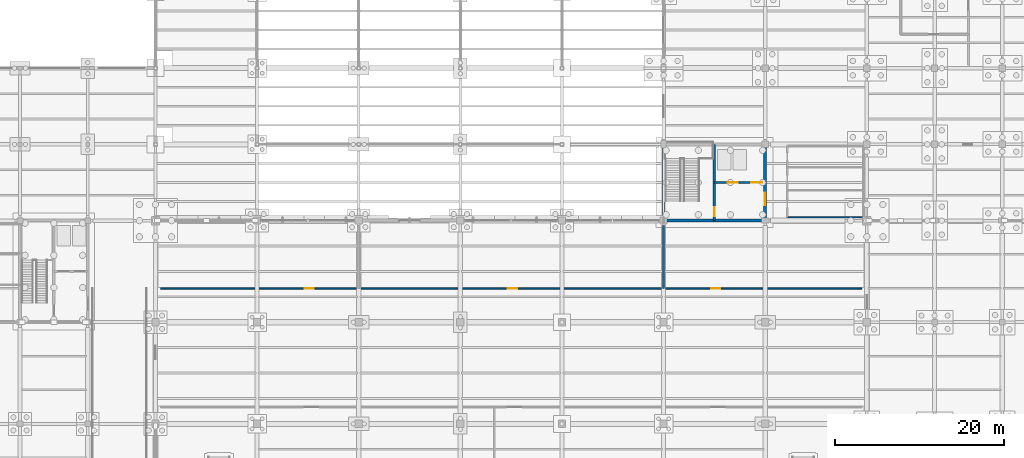
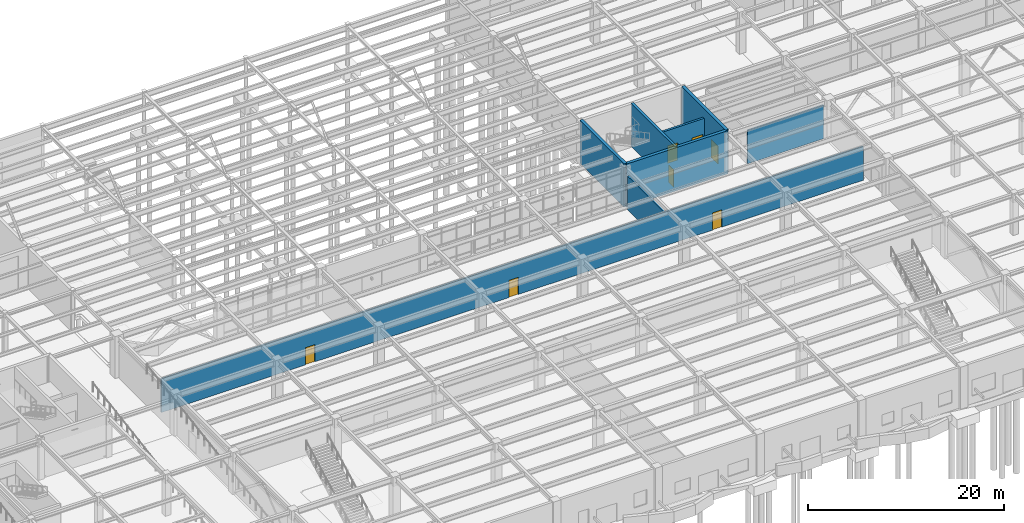
# One storey, part 66 of 85: 8 walls, 7 doors, 7 openings.
"""IFC4 building model written with IfcOpenShell, lengths in metres."""

from ifc_helpers import new_model, si_unit, direction, frame, frame_2d, origin, place, context, subcontext, project, spatial, rectangle, extrude, material, layer, layer_set, type_object, element, fill, save


model = new_model("IFC4")

# Units and contexts
model_context = context("Model", 3, precision=1e-05, world=origin(), true_north=direction((0.0, 1.0)))
body_context = subcontext(model_context, "Body", "Model", "MODEL_VIEW")
ifc_project = project(units=[si_unit("LENGTHUNIT", "METRE"), si_unit("AREAUNIT", "SQUARE_METRE"), si_unit("VOLUMEUNIT", "CUBIC_METRE"), si_unit("PLANEANGLEUNIT", "RADIAN"), si_unit("MASSUNIT", "GRAM", prefix="KILO")], contexts=[model_context])

# Site, building, storey
site_placement = place(None, origin())
site = spatial("IfcSite", under=ifc_project, at=site_placement, CompositionType="ELEMENT")
building_placement = place(site_placement, origin())
building = spatial("IfcBuilding", under=site, at=building_placement, Name="Keelwater Ferry Terminal", CompositionType="ELEMENT")
storey_placement = place(building_placement, origin())
storey = spatial("IfcBuildingStorey", under=building, at=storey_placement, Name="L00", CompositionType="ELEMENT", Elevation=0.0)

# Wall, openings, doors
ifc_material_1 = material(Name="Concrete C40/50", Category="concrete")
ifc_layer_1 = layer(ifc_material_1, 0.199951171875)
ifc_layer_set_1 = layer_set([ifc_layer_1], Name="Concrete C40/50")
wall_type_1 = type_object("IfcWallType", Name="IW-200 Solid Wall 200", PredefinedType="SOLIDWALL", material=ifc_layer_set_1)
wall_1_placement = place(storey_placement, frame((48.60009765625, 82.0, 0.0), z_axis=(0.0, 0.0, 1.0), x_axis=(1.0, 0.0, 0.0)))
wall_1 = element("IfcWall", 1, at=wall_1_placement, inside=storey, type_object=wall_type_1, Name="Interior Wall WL-INT-L00-0229", PredefinedType="SOLIDWALL", context=body_context, shape_type="SweptSolid", body=[
    extrude(rectangle(XDim=82.7998046875, YDim=0.199951171875, at=frame_2d((41.39990234375, 0.0))), origin(), (0.0, 0.0, 1.0), 4.199951171875),
])
opening_1_placement = place(wall_1_placement, frame((17.0, 0.0, 0.0)))
opening_1 = element("IfcOpeningElement", 2, at=opening_1_placement, cuts=wall_1, Name="Opening DR-007", PredefinedType="OPENING", context=body_context, shape_type="SweptSolid", body=[
    extrude(rectangle(XDim=1.10009765625, YDim=2.14990234375, at=frame_2d((0.550048828125, 1.074951171875))), frame((0.0, 0.110107421875, 0.0), z_axis=(0.0, -1.0, 0.0), x_axis=(1.0, 0.0, 0.0)), (0.0, 0.0, 1.0), 0.219970703125),
])
opening_2_placement = place(wall_1_placement, frame((41.0, 0.0, 0.0)))
opening_2 = element("IfcOpeningElement", 3, at=opening_2_placement, cuts=wall_1, Name="Opening DR-008", PredefinedType="OPENING", context=body_context, shape_type="SweptSolid", body=[
    extrude(rectangle(XDim=1.10009765625, YDim=2.14990234375, at=frame_2d((0.550048828125, 1.074951171875))), frame((0.0, 0.110107421875, 0.0), z_axis=(0.0, -1.0, 0.0), x_axis=(1.0, 0.0, 0.0)), (0.0, 0.0, 1.0), 0.219970703125),
])
opening_3_placement = place(wall_1_placement, frame((65.0, 0.0, 0.0)))
opening_3 = element("IfcOpeningElement", 4, at=opening_3_placement, cuts=wall_1, Name="Opening DR-009", PredefinedType="OPENING", context=body_context, shape_type="SweptSolid", body=[
    extrude(rectangle(XDim=1.10009765625, YDim=2.14990234375, at=frame_2d((0.550048828125, 1.074951171875))), frame((0.0, 0.110107421875, 0.0), z_axis=(0.0, -1.0, 0.0), x_axis=(1.0, 0.0, 0.0)), (0.0, 0.0, 1.0), 0.219970703125),
])
ifc_material_2 = material(Name="Acoustic oak and fire-rated steel frame door", Category="steel")
door_type_1 = type_object("IfcDoorType", Name="ID-05 Pedestrian Door 1100x2150", OperationType="NOTDEFINED", PredefinedType="DOOR", material=ifc_material_2)
door_1_placement = place(opening_1_placement, origin())
door_1 = element("IfcDoor", 5, at=door_1_placement, inside=storey, type_object=door_type_1, Name="Door DR-007", OperationType="SINGLE_SWING_RIGHT", OverallHeight=2.14990234375, OverallWidth=1.10009765625, PredefinedType="DOOR", context=body_context, shape_type="SweptSolid", body=[
    extrude(rectangle(XDim=1.10009765625, YDim=2.14990234375, at=frame_2d((0.550048828125, 1.074951171875))), frame((0.0, 0.02490234375, 0.0), z_axis=(0.0, -1.0, 0.0), x_axis=(1.0, 0.0, 0.0)), (0.0, 0.0, 1.0), 0.050048828125),
])
fill(opening_1, door_1)
door_2_placement = place(opening_2_placement, origin())
door_2 = element("IfcDoor", 6, at=door_2_placement, inside=storey, type_object=door_type_1, Name="Door DR-008", OperationType="SINGLE_SWING_LEFT", OverallHeight=2.14990234375, OverallWidth=1.10009765625, PredefinedType="DOOR", context=body_context, shape_type="SweptSolid", body=[
    extrude(rectangle(XDim=1.10009765625, YDim=2.14990234375, at=frame_2d((0.550048828125, 1.074951171875))), frame((0.0, 0.02490234375, 0.0), z_axis=(0.0, -1.0, 0.0), x_axis=(1.0, 0.0, 0.0)), (0.0, 0.0, 1.0), 0.050048828125),
])
fill(opening_2, door_2)
door_3_placement = place(opening_3_placement, origin())
door_3 = element("IfcDoor", 7, at=door_3_placement, inside=storey, type_object=door_type_1, Name="Door DR-009", OperationType="SINGLE_SWING_RIGHT", OverallHeight=2.14990234375, OverallWidth=1.10009765625, PredefinedType="DOOR", context=body_context, shape_type="SweptSolid", body=[
    extrude(rectangle(XDim=1.10009765625, YDim=2.14990234375, at=frame_2d((0.550048828125, 1.074951171875))), frame((0.0, 0.02490234375, 0.0), z_axis=(0.0, -1.0, 0.0), x_axis=(1.0, 0.0, 0.0)), (0.0, 0.0, 1.0), 0.050048828125),
])
fill(opening_3, door_3)

# Wall
wall_2_placement = place(storey_placement, frame((108.0, 82.0, 0.0), z_axis=(0.0, 0.0, 1.0), x_axis=(0.0, 1.0, 0.0)))
element("IfcWall", 8, at=wall_2_placement, inside=storey, type_object=wall_type_1, Name="Interior Wall WL-INT-L00-0231", PredefinedType="SOLIDWALL", context=body_context, shape_type="SweptSolid", body=[
    extrude(rectangle(XDim=7.39990234375, YDim=0.199951171875, at=frame_2d((3.699951171875, 0.0))), origin(), (0.0, 0.0, 1.0), 4.199951171875),
])

# Wall, openings, doors
ifc_material_3 = material(Name="Concrete C40/50", Category="concrete")
ifc_layer_2 = layer(ifc_material_3, 0.25)
ifc_layer_set_2 = layer_set([ifc_layer_2], Name="Concrete C40/50")
wall_type_2 = type_object("IfcWallType", Name="IW-250 Solid Wall 250", PredefinedType="SOLIDWALL", material=ifc_layer_set_2)
wall_3_placement = place(storey_placement, frame((120.0, 94.5, 0.0), z_axis=(0.0, 0.0, 1.0), x_axis=(-1.0, 0.0, 0.0)))
wall_3 = element("IfcWall", 9, at=wall_3_placement, inside=storey, type_object=wall_type_2, Name="Interior Wall WL-INT-L00-0024", PredefinedType="SOLIDWALL", context=body_context, shape_type="SweptSolid", body=[
    extrude(rectangle(XDim=6.0, YDim=0.25, at=frame_2d((3.0, 0.0))), origin(), (0.0, 0.0, 1.0), 4.199951171875),
])
opening_4_placement = place(wall_3_placement, frame((0.35009765625, 0.0, 0.0)))
opening_4 = element("IfcOpeningElement", 10, at=opening_4_placement, cuts=wall_3, Name="Opening LD-007", PredefinedType="OPENING", context=body_context, shape_type="SweptSolid", body=[
    extrude(rectangle(XDim=1.300048828125, YDim=2.25, at=frame_2d((0.64990234375, 1.125))), frame((0.0, 0.135009765625, 0.0), z_axis=(0.0, -1.0, 0.0), x_axis=(1.0, 0.0, 0.0)), (0.0, 0.0, 1.0), 0.27001953125),
])
opening_5_placement = place(wall_3_placement, frame((3.25, 0.0, 0.0)))
opening_5 = element("IfcOpeningElement", 11, at=opening_5_placement, cuts=wall_3, Name="Opening LD-008", PredefinedType="OPENING", context=body_context, shape_type="SweptSolid", body=[
    extrude(rectangle(XDim=1.199951171875, YDim=2.199951171875, at=frame_2d((0.60009765625, 1.10009765625))), frame((0.0, 0.135009765625, 0.0), z_axis=(0.0, -1.0, 0.0), x_axis=(1.0, 0.0, 0.0)), (0.0, 0.0, 1.0), 0.27001953125),
])
ifc_material_4 = material(Name="Stainless steel sliding landing doors", Category="steel")
door_type_2 = type_object("IfcDoorType", Name="LD-T2 Lift Landing Door 1200x2200", OperationType="DOUBLE_DOOR_SLIDING", PredefinedType="USERDEFINED", material=ifc_material_4)
door_4_placement = place(opening_5_placement, origin())
door_4 = element("IfcDoor", 12, at=door_4_placement, inside=storey, type_object=door_type_2, Name="Door LD-008", ObjectType="LANDING DOOR", OperationType="DOUBLE_DOOR_SLIDING", OverallHeight=2.199951171875, OverallWidth=1.199951171875, PredefinedType="USERDEFINED", context=body_context, shape_type="SweptSolid", body=[
    extrude(rectangle(XDim=1.199951171875, YDim=2.199951171875, at=frame_2d((0.60009765625, 1.10009765625))), frame((0.0, 0.02490234375, 0.0), z_axis=(0.0, -1.0, 0.0), x_axis=(1.0, 0.0, 0.0)), (0.0, 0.0, 1.0), 0.050048828125),
])
fill(opening_5, door_4)
ifc_material_5 = material(Name="Stainless steel sliding landing doors", Category="steel")
door_type_3 = type_object("IfcDoorType", Name="LD-T3 Lift Landing Door 1300x2250", OperationType="DOUBLE_DOOR_SLIDING", PredefinedType="USERDEFINED", material=ifc_material_5)
door_5_placement = place(opening_4_placement, origin())
door_5 = element("IfcDoor", 13, at=door_5_placement, inside=storey, type_object=door_type_3, Name="Door LD-007", ObjectType="LANDING DOOR", OperationType="DOUBLE_DOOR_SLIDING", OverallHeight=2.25, OverallWidth=1.300048828125, PredefinedType="USERDEFINED", context=body_context, shape_type="SweptSolid", body=[
    extrude(rectangle(XDim=1.300048828125, YDim=2.25, at=frame_2d((0.64990234375, 1.125))), frame((0.0, 0.02490234375, 0.0), z_axis=(0.0, -1.0, 0.0), x_axis=(1.0, 0.0, 0.0)), (0.0, 0.0, 1.0), 0.050048828125),
])
fill(opening_4, door_5)

# Wall
ifc_material_6 = material(Name="Gypsum board on acoustic steel stud", Category="steel")
ifc_layer_3 = layer(ifc_material_6, 0.14990234375)
ifc_layer_set_3 = layer_set([ifc_layer_3], Name="Gypsum board on acoustic steel stud")
wall_type_3 = type_object("IfcWallType", Name="PT-150 Partition Wall 150", PredefinedType="PARTITIONING", material=ifc_layer_set_3)
wall_4_placement = place(storey_placement, frame((122.60009765625, 90.39990234375, 0.0), z_axis=(0.0, 0.0, 1.0), x_axis=(1.0, 0.0, 0.0)))
element("IfcWall", 14, at=wall_4_placement, inside=storey, type_object=wall_type_3, Name="Interior Wall WL-INT-L00-0169", PredefinedType="PARTITIONING", context=body_context, shape_type="SweptSolid", body=[
    extrude(rectangle(XDim=9.0, YDim=0.14990234375, at=frame_2d((4.5, 0.0))), origin(), (0.0, 0.0, 1.0), 4.199951171875),
])

# Wall, opening, door
ifc_material_7 = material(Name="Concrete C45/55", Category="concrete")
ifc_layer_4 = layer(ifc_material_7, 0.300048828125)
ifc_layer_set_4 = layer_set([ifc_layer_4], Name="Concrete C45/55")
wall_type_4 = type_object("IfcWallType", Name="SW-300 Shear Wall 300", PredefinedType="SHEAR", material=ifc_layer_set_4)
wall_5_placement = place(storey_placement, frame((114.0, 99.0, 0.0), z_axis=(0.0, 0.0, 1.0), x_axis=(0.0, -1.0, 0.0)))
wall_5 = element("IfcWall", 15, at=wall_5_placement, inside=storey, type_object=wall_type_4, Name="Interior Wall WL-INT-L00-0023", PredefinedType="SHEAR", context=body_context, shape_type="SweptSolid", body=[
    extrude(rectangle(XDim=9.0, YDim=0.300048828125, at=frame_2d((4.5, 0.0))), origin(), (0.0, 0.0, 1.0), 5.3798828125),
])
opening_6_placement = place(wall_5_placement, frame((7.449951171875, 0.0, 0.0)))
opening_6 = element("IfcOpeningElement", 16, at=opening_6_placement, cuts=wall_5, Name="Opening FD-007", PredefinedType="OPENING", context=body_context, shape_type="SweptSolid", body=[
    extrude(rectangle(XDim=1.050048828125, YDim=2.14990234375, at=frame_2d((0.52490234375, 1.074951171875))), frame((0.0, 0.159912109375, 0.0), z_axis=(0.0, -1.0, 0.0), x_axis=(1.0, 0.0, 0.0)), (0.0, 0.0, 1.0), 0.320068359375),
])
ifc_material_8 = material(Name="Acoustic oak and fire-rated steel frame door", Category="steel")
door_type_4 = type_object("IfcDoorType", Name="ID-06 Pedestrian Door 1050x2150", OperationType="NOTDEFINED", PredefinedType="DOOR", material=ifc_material_8)
door_6_placement = place(opening_6_placement, origin())
door_6 = element("IfcDoor", 17, at=door_6_placement, inside=storey, type_object=door_type_4, Name="Door FD-007", OperationType="SINGLE_SWING_LEFT", OverallHeight=2.14990234375, OverallWidth=1.050048828125, PredefinedType="DOOR", context=body_context, shape_type="SweptSolid", body=[
    extrude(rectangle(XDim=1.050048828125, YDim=2.14990234375, at=frame_2d((0.52490234375, 1.074951171875))), frame((0.0, 0.02490234375, 0.0), z_axis=(0.0, -1.0, 0.0), x_axis=(1.0, 0.0, 0.0)), (0.0, 0.0, 1.0), 0.050048828125),
])
fill(opening_6, door_6)

# Walls
ifc_material_9 = material(Name="Concrete C45/55", Category="concrete")
ifc_layer_5 = layer(ifc_material_9, 0.35009765625)
ifc_layer_set_5 = layer_set([ifc_layer_5], Name="Concrete C45/55")
wall_type_5 = type_object("IfcWallType", Name="SW-350 Shear Wall 350", PredefinedType="SHEAR", material=ifc_layer_set_5)
wall_6_placement = place(storey_placement, frame((108.0, 90.0, 0.0), z_axis=(0.0, 0.0, 1.0), x_axis=(1.0, 0.0, 0.0)))
element("IfcWall", 18, at=wall_6_placement, inside=storey, type_object=wall_type_5, Name="Interior Wall WL-INT-L00-0019", PredefinedType="SHEAR", context=body_context, shape_type="SweptSolid", body=[
    extrude(rectangle(XDim=12.0, YDim=0.35009765625, at=frame_2d((6.0, 0.0))), origin(), (0.0, 0.0, 1.0), 5.3798828125),
])
wall_7_placement = place(storey_placement, frame((108.0, 90.0, 0.0), z_axis=(0.0, 0.0, 1.0), x_axis=(0.0, 1.0, 0.0)))
element("IfcWall", 19, at=wall_7_placement, inside=storey, type_object=wall_type_5, Name="Interior Wall WL-INT-L00-0021", PredefinedType="SHEAR", context=body_context, shape_type="SweptSolid", body=[
    extrude(rectangle(XDim=9.0, YDim=0.35009765625, at=frame_2d((4.5, 0.0))), origin(), (0.0, 0.0, 1.0), 5.3798828125),
])

# Wall, opening, door
wall_8_placement = place(storey_placement, frame((120.0, 90.0, 0.0), z_axis=(0.0, 0.0, 1.0), x_axis=(0.0, 1.0, 0.0)))
wall_8 = element("IfcWall", 20, at=wall_8_placement, inside=storey, type_object=wall_type_5, Name="Interior Wall WL-INT-L00-0022", PredefinedType="SHEAR", context=body_context, shape_type="SweptSolid", body=[
    extrude(rectangle(XDim=9.0, YDim=0.35009765625, at=frame_2d((4.5, 0.0))), origin(), (0.0, 0.0, 1.0), 5.3798828125),
])
opening_7_placement = place(wall_8_placement, frame((1.800048828125, 0.0, 0.0)))
opening_7 = element("IfcOpeningElement", 21, at=opening_7_placement, cuts=wall_8, Name="Opening FD-008", PredefinedType="OPENING", context=body_context, shape_type="SweptSolid", body=[
    extrude(rectangle(XDim=1.5, YDim=2.199951171875, at=frame_2d((0.75, 1.10009765625))), frame((0.0, 0.18505859375, 0.0), z_axis=(0.0, -1.0, 0.0), x_axis=(1.0, 0.0, 0.0)), (0.0, 0.0, 1.0), 0.3701171875),
])
ifc_material_10 = material(Name="Acoustic oak and fire-rated steel frame door", Category="steel")
door_type_5 = type_object("IfcDoorType", Name="ID-02 Pedestrian Door 1500x2200", OperationType="DOUBLE_DOOR_SINGLE_SWING", PredefinedType="DOOR", material=ifc_material_10)
door_7_placement = place(opening_7_placement, origin())
door_7 = element("IfcDoor", 22, at=door_7_placement, inside=storey, type_object=door_type_5, Name="Door FD-008", OperationType="DOUBLE_DOOR_SINGLE_SWING", OverallHeight=2.199951171875, OverallWidth=1.5, PredefinedType="DOOR", context=body_context, shape_type="SweptSolid", body=[
    extrude(rectangle(XDim=1.5, YDim=2.199951171875, at=frame_2d((0.75, 1.10009765625))), frame((0.0, 0.02490234375, 0.0), z_axis=(0.0, -1.0, 0.0), x_axis=(1.0, 0.0, 0.0)), (0.0, 0.0, 1.0), 0.050048828125),
])
fill(opening_7, door_7)

save(model, "model.ifc")
